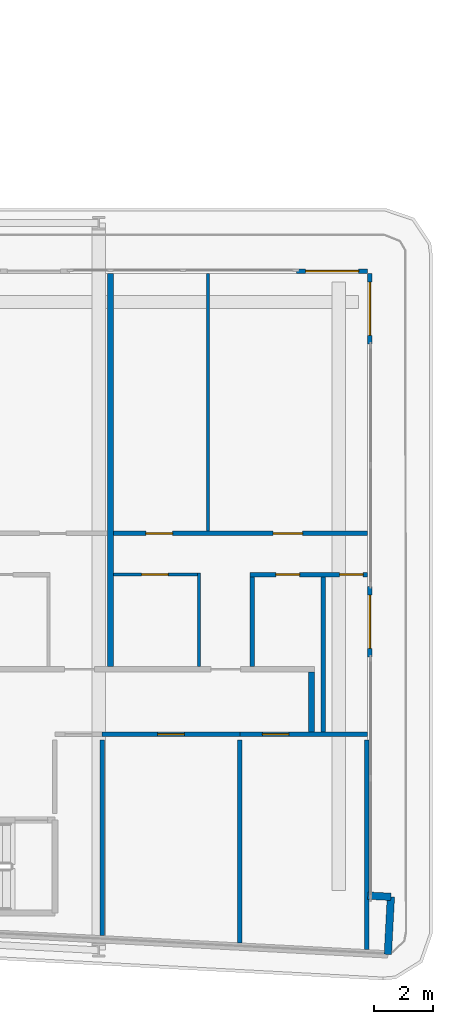
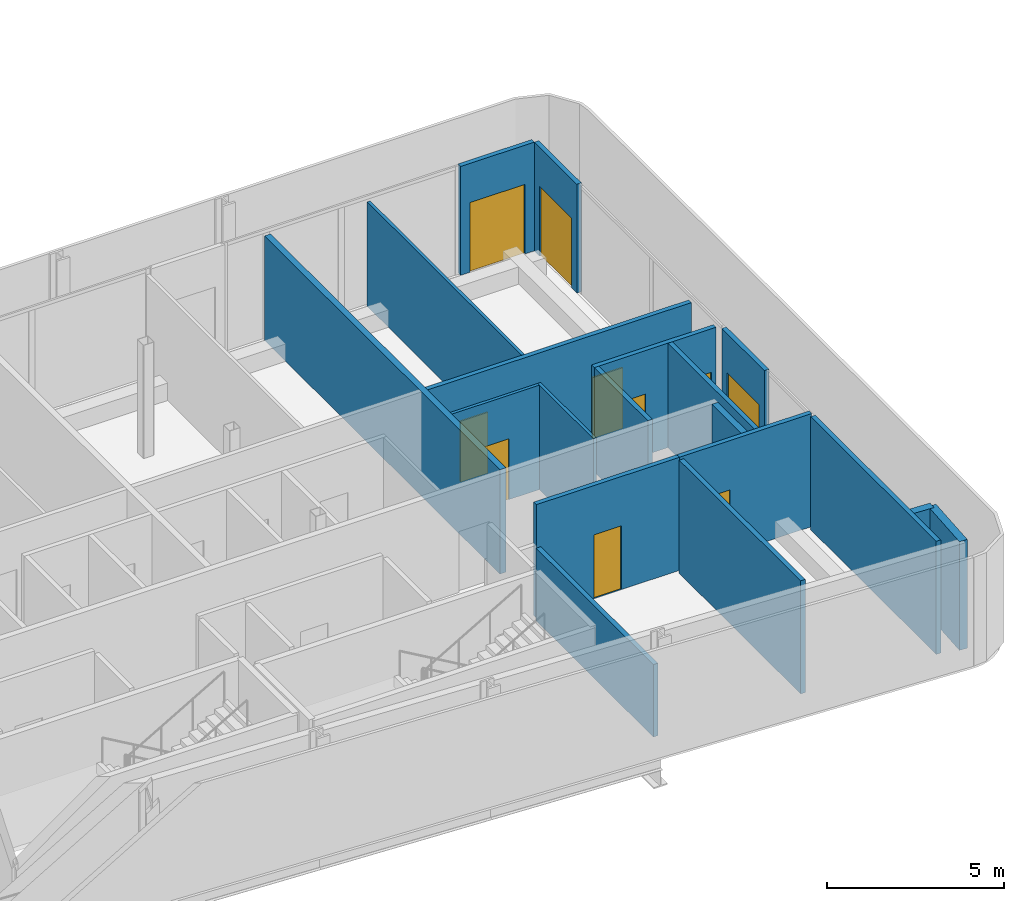
# One storey, part 19 of 28: 19 walls, 10 doors, 10 openings.
"""IFC4 building model written with IfcOpenShell, lengths in metres."""

from ifc_helpers import new_model, si_unit, direction, frame, frame_2d, origin, place, context, subcontext, project, spatial, rectangle, extrude, source, transform, mapped, material, layer, layer_set, type_object, element, fill, save


model = new_model("IFC4")

# Units and contexts
model_context = context("Model", 3, precision=1e-05, world=origin(), true_north=direction((0.0, 1.0)))
body_context = subcontext(model_context, "Body", "Model", "MODEL_VIEW")
ifc_project = project(units=[si_unit("LENGTHUNIT", "METRE"), si_unit("AREAUNIT", "SQUARE_METRE"), si_unit("VOLUMEUNIT", "CUBIC_METRE"), si_unit("PLANEANGLEUNIT", "RADIAN"), si_unit("MASSUNIT", "GRAM", prefix="KILO")], contexts=[model_context])

# Site, building, storey
site_placement = place(None, origin())
site = spatial("IfcSite", under=ifc_project, at=site_placement, CompositionType="ELEMENT")
building_placement = place(site_placement, origin())
building = spatial("IfcBuilding", under=site, at=building_placement, Name="Kheshtan School and Residences Tower", CompositionType="ELEMENT")
storey_placement = place(building_placement, frame((0.0, 0.0, 129.199951171875)))
storey = spatial("IfcBuildingStorey", under=building, at=storey_placement, Name="L30", CompositionType="ELEMENT", Elevation=129.199951171875)

# Walls
ifc_material_1 = material(Name="Gypsum board on steel studs with fire boards", Category="steel")
ifc_layer_1 = layer(ifc_material_1, 0.199951171875)
ifc_layer_set_1 = layer_set([ifc_layer_1], Name="Corridor wall 200")
wall_type_1 = type_object("IfcWallType", Name="Corridor wall 200", PredefinedType="PARTITIONING", material=ifc_layer_set_1)
wall_1_placement = place(storey_placement, frame((98.0, 28.3740234375, 0.0), z_axis=(0.0, 0.0, 1.0), x_axis=(0.0, 1.0, 0.0)))
element("IfcWall", 1, at=wall_1_placement, inside=storey, type_object=wall_type_1, Name="Partition L30-086", PredefinedType="PARTITIONING", context=body_context, shape_type="SweptSolid", body=[
    extrude(rectangle(XDim=2.02587890625, YDim=0.199951171875, at=frame_2d((1.012939453125, 0.0))), origin(), (0.0, 0.0, 1.0), 3.60009765625),
])
ifc_material_2 = material(Name="Concrete C40/50 with ceramic cladding and mineral wool insulation", Category="concrete")
ifc_layer_2 = layer(ifc_material_2, 0.25)
ifc_layer_set_2 = layer_set([ifc_layer_2], Name="External wall 250 ceramic clad")
wall_type_2 = type_object("IfcWallType", Name="External wall 250 ceramic clad", PredefinedType="SOLIDWALL", material=ifc_layer_set_2)
wall_2_placement = place(storey_placement, frame((99.906982421875, 22.839111328125, 0.0), z_axis=(0.0, 0.0, 1.0), x_axis=(0.998561284263, -0.053622398031, 0.0)))
element("IfcWall", 2, at=wall_2_placement, inside=storey, type_object=wall_type_2, Name="External wall L30 14", PredefinedType="SOLIDWALL", context=body_context, shape_type="SweptSolid", body=[
    extrude(rectangle(XDim=0.783203125, YDim=0.25, at=frame_2d((0.3916015625, 0.0))), origin(), (0.0, 0.0, 1.0), 3.75),
])
wall_3_placement = place(storey_placement, frame((100.68896484375, 22.797119140625, 0.0), z_axis=(0.0, 0.0, 1.0), x_axis=(-0.052841433274, -0.998602915542, 0.0)))
element("IfcWall", 3, at=wall_3_placement, inside=storey, type_object=wall_type_2, Name="External wall L30 15", PredefinedType="SOLIDWALL", context=body_context, shape_type="SweptSolid", body=[
    extrude(rectangle(XDim=1.94970703125, YDim=0.25, at=frame_2d((0.974853515625, 0.0))), origin(), (0.0, 0.0, 1.0), 3.75),
])

# Wall, opening, door
ifc_material_3 = material(Name="Aluminium frame wall with insulated infill", Category="aluminium")
ifc_layer_3 = layer(ifc_material_3, 0.14990234375)
ifc_layer_set_3 = layer_set([ifc_layer_3], Name="Glazing frame wall 150")
wall_type_3 = type_object("IfcWallType", Name="Glazing frame wall 150", PredefinedType="SOLIDWALL", material=ifc_layer_set_3)
wall_4_placement = place(storey_placement, frame((97.5, 43.97509765625, 0.0), z_axis=(0.0, 0.0, 1.0), x_axis=(1.0, 0.0, 0.0)))
wall_4 = element("IfcWall", 4, at=wall_4_placement, inside=storey, type_object=wall_type_3, Name="Balcony door wall L30 12.5", PredefinedType="SOLIDWALL", context=body_context, shape_type="SweptSolid", body=[
    extrude(rectangle(XDim=2.39990234375, YDim=0.14990234375, at=frame_2d((1.199951171875, 0.0))), origin(), (0.0, 0.0, 1.0), 3.75),
])
opening_1_placement = place(wall_4_placement, frame((0.300048828125, 0.0, 0.0)))
opening_1 = element("IfcOpeningElement", 5, at=opening_1_placement, cuts=wall_4, Name="Opening BD", PredefinedType="OPENING", context=body_context, shape_type="SweptSolid", body=[
    extrude(rectangle(XDim=1.800048828125, YDim=2.39990234375, at=frame_2d((0.89990234375, 1.199951171875))), frame((0.0, 0.0849609375, 0.0), z_axis=(0.0, -1.0, 0.0), x_axis=(1.0, 0.0, 0.0)), (0.0, 0.0, 1.0), 0.169921875),
])
ifc_material_4 = material(Name="Clear low-e glass in thermally broken aluminium frame", Category="aluminium")
door_type_1 = type_object("IfcDoorType", Name="Balcony sliding door", OperationType="SLIDING_TO_LEFT", PredefinedType="DOOR", material=ifc_material_4)
shared_shape_1 = source(origin(), body_context, "Body", "SweptSolid", [
    extrude(rectangle(XDim=1.800048828125, YDim=2.39990234375, at=frame_2d((0.89990234375, 1.199951171875))), frame((0.0, 0.02490234375, 0.0), z_axis=(0.0, -1.0, 0.0), x_axis=(1.0, 0.0, 0.0)), (0.0, 0.0, 1.0), 0.050048828125),
])
door_1_placement = place(opening_1_placement, origin())
door_1 = element("IfcDoor", 6, at=door_1_placement, inside=storey, type_object=door_type_1, Name="Balcony door L30 12.5", OperationType="SLIDING_TO_LEFT", OverallHeight=2.39990234375, OverallWidth=1.800048828125, PredefinedType="DOOR", context=body_context, shape_type="MappedRepresentation", body=[
    mapped(shared_shape_1, transform((0.0, 0.0, 0.0), x_axis=(1.0, 0.0, 0.0), y_axis=(0.0, 1.0, 0.0), z_axis=(0.0, 0.0, 1.0), scale=1.0)),
])
fill(opening_1, door_1)

wall_5_placement = place(storey_placement, frame((99.97509765625, 43.89990234375, 0.0), z_axis=(0.0, 0.0, 1.0), x_axis=(0.0, -1.0, 0.0)))
wall_5 = element("IfcWall", 7, at=wall_5_placement, inside=storey, type_object=wall_type_3, Name="Balcony door wall L30 13.1", PredefinedType="SOLIDWALL", context=body_context, shape_type="SweptSolid", body=[
    extrude(rectangle(XDim=2.39990234375, YDim=0.14990234375, at=frame_2d((1.199951171875, 0.0))), origin(), (0.0, 0.0, 1.0), 3.75),
])
opening_2_placement = place(wall_5_placement, frame((0.300048828125, 0.0, 0.0)))
opening_2 = element("IfcOpeningElement", 8, at=opening_2_placement, cuts=wall_5, Name="Opening BD", PredefinedType="OPENING", context=body_context, shape_type="SweptSolid", body=[
    extrude(rectangle(XDim=1.800048828125, YDim=2.39990234375, at=frame_2d((0.89990234375, 1.199951171875))), frame((0.0, 0.0849609375, 0.0), z_axis=(0.0, -1.0, 0.0), x_axis=(1.0, 0.0, 0.0)), (0.0, 0.0, 1.0), 0.169921875),
])
door_2_placement = place(opening_2_placement, origin())
door_2 = element("IfcDoor", 9, at=door_2_placement, inside=storey, type_object=door_type_1, Name="Balcony door L30 13.1", OperationType="SLIDING_TO_LEFT", OverallHeight=2.39990234375, OverallWidth=1.800048828125, PredefinedType="DOOR", context=body_context, shape_type="MappedRepresentation", body=[
    mapped(shared_shape_1, transform((0.0, 0.0, 0.0), x_axis=(1.0, 0.0, 0.0), y_axis=(0.0, 1.0, 0.0), z_axis=(0.0, 0.0, 1.0), scale=1.0)),
])
fill(opening_2, door_2)

wall_6_placement = place(storey_placement, frame((99.97509765625, 33.306884765625, 0.0), z_axis=(0.0, 0.0, 1.0), x_axis=(0.0, -1.0, 0.0)))
wall_6 = element("IfcWall", 10, at=wall_6_placement, inside=storey, type_object=wall_type_3, Name="Balcony door wall L30 13.2", PredefinedType="SOLIDWALL", context=body_context, shape_type="SweptSolid", body=[
    extrude(rectangle(XDim=2.39990234375, YDim=0.14990234375, at=frame_2d((1.199951171875, 0.0))), origin(), (0.0, 0.0, 1.0), 3.75),
])
opening_3_placement = place(wall_6_placement, frame((0.300048828125, 0.0, 0.0)))
opening_3 = element("IfcOpeningElement", 11, at=opening_3_placement, cuts=wall_6, Name="Opening BD", PredefinedType="OPENING", context=body_context, shape_type="SweptSolid", body=[
    extrude(rectangle(XDim=1.800048828125, YDim=2.39990234375, at=frame_2d((0.89990234375, 1.199951171875))), frame((0.0, 0.0849609375, 0.0), z_axis=(0.0, -1.0, 0.0), x_axis=(1.0, 0.0, 0.0)), (0.0, 0.0, 1.0), 0.169921875),
])
door_3_placement = place(opening_3_placement, origin())
door_3 = element("IfcDoor", 12, at=door_3_placement, inside=storey, type_object=door_type_1, Name="Balcony door L30 13.2", OperationType="SLIDING_TO_LEFT", OverallHeight=2.39990234375, OverallWidth=1.800048828125, PredefinedType="DOOR", context=body_context, shape_type="MappedRepresentation", body=[
    mapped(shared_shape_1, transform((0.0, 0.0, 0.0), x_axis=(1.0, 0.0, 0.0), y_axis=(0.0, 1.0, 0.0), z_axis=(0.0, 0.0, 1.0), scale=1.0)),
])
fill(opening_3, door_3)

ifc_material_5 = material(Name="Gypsum board on steel studs", Category="steel")
ifc_layer_4 = layer(ifc_material_5, 0.10009765625)
ifc_layer_set_4 = layer_set([ifc_layer_4], Name="Gypsum partition 100")
wall_type_4 = type_object("IfcWallType", Name="Gypsum partition 100", PredefinedType="PARTITIONING", material=ifc_layer_set_4)
wall_7_placement = place(storey_placement, frame((91.300048828125, 33.699951171875, 0.0), z_axis=(0.0, 0.0, 1.0), x_axis=(1.0, 0.0, 0.0)))
wall_7 = element("IfcWall", 13, at=wall_7_placement, inside=storey, type_object=wall_type_4, Name="Partition L30-080", PredefinedType="PARTITIONING", context=body_context, shape_type="SweptSolid", body=[
    extrude(rectangle(XDim=2.849853515625, YDim=0.10009765625, at=frame_2d((1.4248046875, 0.0))), origin(), (0.0, 0.0, 1.0), 3.60009765625),
])
opening_4_placement = place(wall_7_placement, frame((0.949951171875, 0.0, 0.0)))
opening_4 = element("IfcOpeningElement", 14, at=opening_4_placement, cuts=wall_7, Name="Opening D29-030", PredefinedType="OPENING", context=body_context, shape_type="SweptSolid", body=[
    extrude(rectangle(XDim=0.89990234375, YDim=2.10009765625, at=frame_2d((0.449951171875, 1.050048828125))), frame((0.0, 0.06005859375, 0.0), z_axis=(0.0, -1.0, 0.0), x_axis=(1.0, 0.0, 0.0)), (0.0, 0.0, 1.0), 0.1201171875),
])
ifc_material_6 = material(Name="Veneered timber door leaf", Category="wood")
door_type_2 = type_object("IfcDoorType", Name="Door 900 x 2100", OperationType="SINGLE_SWING_LEFT", PredefinedType="DOOR", material=ifc_material_6)
shared_shape_2 = source(origin(), body_context, "Body", "SweptSolid", [
    extrude(rectangle(XDim=0.89990234375, YDim=2.10009765625, at=frame_2d((0.449951171875, 1.050048828125))), frame((0.0, 0.02490234375, 0.0), z_axis=(0.0, -1.0, 0.0), x_axis=(1.0, 0.0, 0.0)), (0.0, 0.0, 1.0), 0.050048828125),
])
door_4_placement = place(opening_4_placement, origin())
door_4 = element("IfcDoor", 15, at=door_4_placement, inside=storey, type_object=door_type_2, Name="Door D29-030", OperationType="SINGLE_SWING_RIGHT", OverallHeight=2.10009765625, OverallWidth=0.89990234375, PredefinedType="DOOR", context=body_context, shape_type="MappedRepresentation", body=[
    mapped(shared_shape_2, transform((0.0, 0.0, 0.0), x_axis=(1.0, 0.0, 0.0), y_axis=(0.0, 1.0, 0.0), z_axis=(0.0, 0.0, 1.0), scale=1.0)),
])
fill(opening_4, door_4)

# Walls
wall_8_placement = place(storey_placement, frame((94.199951171875, 30.60009765625, 0.0), z_axis=(0.0, 0.0, 1.0), x_axis=(0.0, 1.0, 0.0)))
element("IfcWall", 16, at=wall_8_placement, inside=storey, type_object=wall_type_4, Name="Partition L30-082", PredefinedType="PARTITIONING", context=body_context, shape_type="SweptSolid", body=[
    extrude(rectangle(XDim=3.14990234375, YDim=0.10009765625, at=frame_2d((1.574951171875, 0.0))), origin(), (0.0, 0.0, 1.0), 3.60009765625),
])
wall_9_placement = place(storey_placement, frame((94.5, 35.175048828125, 0.0), z_axis=(0.0, 0.0, 1.0), x_axis=(0.0, 1.0, 0.0)))
element("IfcWall", 17, at=wall_9_placement, inside=storey, type_object=wall_type_4, Name="Partition L30-083", PredefinedType="PARTITIONING", context=body_context, shape_type="SweptSolid", body=[
    extrude(rectangle(XDim=8.724853515625, YDim=0.10009765625, at=frame_2d((4.3623046875, 0.0))), origin(), (0.0, 0.0, 1.0), 3.60009765625),
])
ifc_material_7 = material(Name="Fire-board shaft wall system")
ifc_layer_5 = layer(ifc_material_7, 0.14990234375)
ifc_layer_set_5 = layer_set([ifc_layer_5], Name="Service room wall 150")
wall_type_5 = type_object("IfcWallType", Name="Service room wall 150", PredefinedType="PARTITIONING", material=ifc_layer_set_5)
wall_10_placement = place(storey_placement, frame((90.9150390625, 21.487060546875, 0.0), z_axis=(0.0, 0.0, 1.0), x_axis=(0.0, 1.0, 0.0)))
element("IfcWall", 18, at=wall_10_placement, inside=storey, type_object=wall_type_5, Name="Service room wall", PredefinedType="PARTITIONING", context=body_context, shape_type="SweptSolid", body=[
    extrude(rectangle(XDim=6.617919921875, YDim=0.14990234375, at=frame_2d((3.30908203125, 0.0))), origin(), (0.0, 0.0, 1.0), 2.5),
])

# Wall, opening, door
wall_11_placement = place(storey_placement, frame((90.9150390625, 28.300048828125, 0.0), z_axis=(0.0, 0.0, 1.0), x_axis=(1.0, 0.0, 0.0)))
wall_11 = element("IfcWall", 19, at=wall_11_placement, inside=storey, type_object=wall_type_5, Name="Service room wall", PredefinedType="PARTITIONING", context=body_context, shape_type="SweptSolid", body=[
    extrude(rectangle(XDim=4.666015625, YDim=0.14990234375, at=frame_2d((2.3330078125, 0.0))), origin(), (0.0, 0.0, 1.0), 3.900146484375),
])
opening_5_placement = place(wall_11_placement, frame((1.883056640625, 0.0, 0.0)))
opening_5 = element("IfcOpeningElement", 20, at=opening_5_placement, cuts=wall_11, Name="Opening SR90", PredefinedType="OPENING", context=body_context, shape_type="SweptSolid", body=[
    extrude(rectangle(XDim=0.89990234375, YDim=2.199951171875, at=frame_2d((0.449951171875, 1.10009765625))), frame((0.0, 0.0849609375, 0.0), z_axis=(0.0, -1.0, 0.0), x_axis=(1.0, 0.0, 0.0)), (0.0, 0.0, 1.0), 0.169921875),
])
ifc_material_8 = material(Name="Steel door leaf, galvanised", Category="steel")
door_type_3 = type_object("IfcDoorType", Name="Service room door 900 steel 90 min", OperationType="SINGLE_SWING_LEFT", PredefinedType="DOOR", material=ifc_material_8)
shared_shape_3 = source(origin(), body_context, "Body", "SweptSolid", [
    extrude(rectangle(XDim=0.89990234375, YDim=2.199951171875, at=frame_2d((0.449951171875, 1.10009765625))), frame((0.0, 0.02490234375, 0.0), z_axis=(0.0, -1.0, 0.0), x_axis=(1.0, 0.0, 0.0)), (0.0, 0.0, 1.0), 0.050048828125),
])
door_5_placement = place(opening_5_placement, origin())
door_5 = element("IfcDoor", 21, at=door_5_placement, inside=storey, type_object=door_type_3, Name="Service room door", OperationType="SINGLE_SWING_RIGHT", OverallHeight=2.199951171875, OverallWidth=0.89990234375, PredefinedType="DOOR", context=body_context, shape_type="MappedRepresentation", body=[
    mapped(shared_shape_3, transform((0.0, 0.0, 0.0), x_axis=(1.0, 0.0, 0.0), y_axis=(0.0, 1.0, 0.0), z_axis=(0.0, 0.0, 1.0), scale=1.0)),
])
fill(opening_5, door_5)

# Wall
wall_12_placement = place(storey_placement, frame((95.5810546875, 21.240966796875, 0.0), z_axis=(0.0, 0.0, 1.0), x_axis=(0.0, 1.0, 0.0)))
element("IfcWall", 22, at=wall_12_placement, inside=storey, type_object=wall_type_5, Name="Service room wall", PredefinedType="PARTITIONING", context=body_context, shape_type="SweptSolid", body=[
    extrude(rectangle(XDim=6.864013671875, YDim=0.14990234375, at=frame_2d((3.43212890625, 0.0))), origin(), (0.0, 0.0, 1.0), 3.900146484375),
])

# Wall, opening, door
wall_13_placement = place(storey_placement, frame((95.5810546875, 28.300048828125, 0.0), z_axis=(0.0, 0.0, 1.0), x_axis=(1.0, 0.0, 0.0)))
wall_13 = element("IfcWall", 23, at=wall_13_placement, inside=storey, type_object=wall_type_5, Name="Service room wall", PredefinedType="PARTITIONING", context=body_context, shape_type="SweptSolid", body=[
    extrude(rectangle(XDim=4.31689453125, YDim=0.14990234375, at=frame_2d((2.158447265625, 0.0))), origin(), (0.0, 0.0, 1.0), 3.900146484375),
])
opening_6_placement = place(wall_13_placement, frame((0.759033203125, 0.0, 0.0)))
opening_6 = element("IfcOpeningElement", 24, at=opening_6_placement, cuts=wall_13, Name="Opening SR90", PredefinedType="OPENING", context=body_context, shape_type="SweptSolid", body=[
    extrude(rectangle(XDim=0.89990234375, YDim=2.199951171875, at=frame_2d((0.449951171875, 1.10009765625))), frame((0.0, 0.0849609375, 0.0), z_axis=(0.0, -1.0, 0.0), x_axis=(1.0, 0.0, 0.0)), (0.0, 0.0, 1.0), 0.169921875),
])
door_6_placement = place(opening_6_placement, origin())
door_6 = element("IfcDoor", 25, at=door_6_placement, inside=storey, type_object=door_type_3, Name="Service room door", OperationType="SINGLE_SWING_LEFT", OverallHeight=2.199951171875, OverallWidth=0.89990234375, PredefinedType="DOOR", context=body_context, shape_type="MappedRepresentation", body=[
    mapped(shared_shape_3, transform((0.0, 0.0, 0.0), x_axis=(1.0, 0.0, 0.0), y_axis=(0.0, 1.0, 0.0), z_axis=(0.0, 0.0, 1.0), scale=1.0)),
])
fill(opening_6, door_6)

# Walls
wall_14_placement = place(storey_placement, frame((99.8701171875, 21.014892578125, 0.0), z_axis=(0.0, 0.0, 1.0), x_axis=(0.0, 1.0, 0.0)))
element("IfcWall", 26, at=wall_14_placement, inside=storey, type_object=wall_type_5, Name="Service room wall", PredefinedType="PARTITIONING", context=body_context, shape_type="SweptSolid", body=[
    extrude(rectangle(XDim=7.090087890625, YDim=0.14990234375, at=frame_2d((3.544921875, 0.0))), origin(), (0.0, 0.0, 1.0), 3.900146484375),
])
ifc_material_9 = material(Name="Twin gypsum board on steel studs with mineral wool", Category="steel")
ifc_layer_6 = layer(ifc_material_9, 0.199951171875)
ifc_layer_set_6 = layer_set([ifc_layer_6], Name="Unit demising wall 200")
wall_type_6 = type_object("IfcWallType", Name="Unit demising wall 200", PredefinedType="PARTITIONING", material=ifc_layer_set_6)
wall_15_placement = place(storey_placement, frame((91.199951171875, 30.60009765625, 0.0), z_axis=(0.0, 0.0, 1.0), x_axis=(0.0, 1.0, 0.0)))
element("IfcWall", 27, at=wall_15_placement, inside=storey, type_object=wall_type_6, Name="Partition L30-079", PredefinedType="PARTITIONING", context=body_context, shape_type="SweptSolid", body=[
    extrude(rectangle(XDim=13.2998046875, YDim=0.199951171875, at=frame_2d((6.64990234375, 0.0))), origin(), (0.0, 0.0, 1.0), 3.60009765625),
])

# Wall, openings, doors
ifc_material_10 = material(Name="Moisture-resistant gypsum board on steel studs", Category="steel")
ifc_layer_7 = layer(ifc_material_10, 0.14990234375)
ifc_layer_set_7 = layer_set([ifc_layer_7], Name="Wet-room partition 150")
wall_type_7 = type_object("IfcWallType", Name="Wet-room partition 150", PredefinedType="PARTITIONING", material=ifc_layer_set_7)
wall_16_placement = place(storey_placement, frame((91.300048828125, 35.10009765625, 0.0), z_axis=(0.0, 0.0, 1.0), x_axis=(1.0, 0.0, 0.0)))
wall_16 = element("IfcWall", 28, at=wall_16_placement, inside=storey, type_object=wall_type_7, Name="Partition L30-081", PredefinedType="PARTITIONING", context=body_context, shape_type="SweptSolid", body=[
    extrude(rectangle(XDim=8.599853515625, YDim=0.14990234375, at=frame_2d((4.2998046875, 0.0))), origin(), (0.0, 0.0, 1.0), 3.60009765625),
])
opening_7_placement = place(wall_16_placement, frame((1.10009765625, 0.0, 0.0)))
opening_7 = element("IfcOpeningElement", 29, at=opening_7_placement, cuts=wall_16, Name="Opening D29-028", PredefinedType="OPENING", context=body_context, shape_type="SweptSolid", body=[
    extrude(rectangle(XDim=0.89990234375, YDim=2.10009765625, at=frame_2d((0.449951171875, 1.050048828125))), frame((0.0, 0.0849609375, 0.0), z_axis=(0.0, -1.0, 0.0), x_axis=(1.0, 0.0, 0.0)), (0.0, 0.0, 1.0), 0.169921875),
])
opening_8_placement = place(wall_16_placement, frame((5.39990234375, 0.0, 0.0)))
opening_8 = element("IfcOpeningElement", 30, at=opening_8_placement, cuts=wall_16, Name="Opening D29-031", PredefinedType="OPENING", context=body_context, shape_type="SweptSolid", body=[
    extrude(rectangle(XDim=1.0, YDim=2.10009765625, at=frame_2d((0.5, 1.050048828125))), frame((0.0, 0.0849609375, 0.0), z_axis=(0.0, -1.0, 0.0), x_axis=(1.0, 0.0, 0.0)), (0.0, 0.0, 1.0), 0.169921875),
])
door_type_4 = type_object("IfcDoorType", Name="Door 1000 x 2100", OperationType="SINGLE_SWING_LEFT", PredefinedType="DOOR", material=ifc_material_6)
shared_shape_4 = source(origin(), body_context, "Body", "SweptSolid", [
    extrude(rectangle(XDim=1.0, YDim=2.10009765625, at=frame_2d((0.5, 1.050048828125))), frame((0.0, 0.02490234375, 0.0), z_axis=(0.0, -1.0, 0.0), x_axis=(1.0, 0.0, 0.0)), (0.0, 0.0, 1.0), 0.050048828125),
])
door_7_placement = place(opening_8_placement, origin())
door_7 = element("IfcDoor", 31, at=door_7_placement, inside=storey, type_object=door_type_4, Name="Door D29-031", OperationType="SINGLE_SWING_LEFT", OverallHeight=2.10009765625, OverallWidth=1.0, PredefinedType="DOOR", context=body_context, shape_type="MappedRepresentation", body=[
    mapped(shared_shape_4, transform((0.0, 0.0, 0.0), x_axis=(1.0, 0.0, 0.0), y_axis=(0.0, 1.0, 0.0), z_axis=(0.0, 0.0, 1.0), scale=1.0)),
])
fill(opening_8, door_7)
door_8_placement = place(opening_7_placement, origin())
door_8 = element("IfcDoor", 32, at=door_8_placement, inside=storey, type_object=door_type_2, Name="Door D29-028", OperationType="SINGLE_SWING_RIGHT", OverallHeight=2.10009765625, OverallWidth=0.89990234375, PredefinedType="DOOR", context=body_context, shape_type="MappedRepresentation", body=[
    mapped(shared_shape_2, transform((0.0, 0.0, 0.0), x_axis=(1.0, 0.0, 0.0), y_axis=(0.0, 1.0, 0.0), z_axis=(0.0, 0.0, 1.0), scale=1.0)),
])
fill(opening_7, door_8)

wall_17_placement = place(storey_placement, frame((95.925048828125, 33.699951171875, 0.0), z_axis=(0.0, 0.0, 1.0), x_axis=(1.0, 0.0, 0.0)))
wall_17 = element("IfcWall", 33, at=wall_17_placement, inside=storey, type_object=wall_type_7, Name="Partition L30-084", PredefinedType="PARTITIONING", context=body_context, shape_type="SweptSolid", body=[
    extrude(rectangle(XDim=3.974853515625, YDim=0.14990234375, at=frame_2d((1.9873046875, 0.0))), origin(), (0.0, 0.0, 1.0), 3.60009765625),
])
opening_9_placement = place(wall_17_placement, frame((0.875, 0.0, 0.0)))
opening_9 = element("IfcOpeningElement", 34, at=opening_9_placement, cuts=wall_17, Name="Opening D29-027", PredefinedType="OPENING", context=body_context, shape_type="SweptSolid", body=[
    extrude(rectangle(XDim=0.800048828125, YDim=2.10009765625, at=frame_2d((0.39990234375, 1.050048828125))), frame((0.0, 0.0849609375, 0.0), z_axis=(0.0, -1.0, 0.0), x_axis=(1.0, 0.0, 0.0)), (0.0, 0.0, 1.0), 0.169921875),
])
opening_10_placement = place(wall_17_placement, frame((3.02490234375, 0.0, 0.0)))
opening_10 = element("IfcOpeningElement", 35, at=opening_10_placement, cuts=wall_17, Name="Opening D29-032", PredefinedType="OPENING", context=body_context, shape_type="SweptSolid", body=[
    extrude(rectangle(XDim=0.800048828125, YDim=2.10009765625, at=frame_2d((0.39990234375, 1.050048828125))), frame((0.0, 0.0849609375, 0.0), z_axis=(0.0, -1.0, 0.0), x_axis=(1.0, 0.0, 0.0)), (0.0, 0.0, 1.0), 0.169921875),
])
door_type_5 = type_object("IfcDoorType", Name="Door 800 x 2100", OperationType="SINGLE_SWING_LEFT", PredefinedType="DOOR", material=ifc_material_6)
shared_shape_5 = source(origin(), body_context, "Body", "SweptSolid", [
    extrude(rectangle(XDim=0.800048828125, YDim=2.10009765625, at=frame_2d((0.39990234375, 1.050048828125))), frame((0.0, 0.02490234375, 0.0), z_axis=(0.0, -1.0, 0.0), x_axis=(1.0, 0.0, 0.0)), (0.0, 0.0, 1.0), 0.050048828125),
])
door_9_placement = place(opening_9_placement, origin())
door_9 = element("IfcDoor", 36, at=door_9_placement, inside=storey, type_object=door_type_5, Name="Door D29-027", OperationType="SINGLE_SWING_RIGHT", OverallHeight=2.10009765625, OverallWidth=0.800048828125, PredefinedType="DOOR", context=body_context, shape_type="MappedRepresentation", body=[
    mapped(shared_shape_5, transform((0.0, 0.0, 0.0), x_axis=(1.0, 0.0, 0.0), y_axis=(0.0, 1.0, 0.0), z_axis=(0.0, 0.0, 1.0), scale=1.0)),
])
fill(opening_9, door_9)
door_10_placement = place(opening_10_placement, origin())
door_10 = element("IfcDoor", 37, at=door_10_placement, inside=storey, type_object=door_type_5, Name="Door D29-032", OperationType="SINGLE_SWING_RIGHT", OverallHeight=2.10009765625, OverallWidth=0.800048828125, PredefinedType="DOOR", context=body_context, shape_type="MappedRepresentation", body=[
    mapped(shared_shape_5, transform((0.0, 0.0, 0.0), x_axis=(1.0, 0.0, 0.0), y_axis=(0.0, 1.0, 0.0), z_axis=(0.0, 0.0, 1.0), scale=1.0)),
])
fill(opening_10, door_10)

# Walls
wall_18_placement = place(storey_placement, frame((96.0, 30.60009765625, 0.0), z_axis=(0.0, 0.0, 1.0), x_axis=(0.0, 1.0, 0.0)))
element("IfcWall", 38, at=wall_18_placement, inside=storey, type_object=wall_type_7, Name="Partition L30-085", PredefinedType="PARTITIONING", context=body_context, shape_type="SweptSolid", body=[
    extrude(rectangle(XDim=3.02490234375, YDim=0.14990234375, at=frame_2d((1.512451171875, 0.0))), origin(), (0.0, 0.0, 1.0), 3.60009765625),
])
wall_19_placement = place(storey_placement, frame((98.39990234375, 28.3740234375, 0.0), z_axis=(0.0, 0.0, 1.0), x_axis=(0.0, 1.0, 0.0)))
element("IfcWall", 39, at=wall_19_placement, inside=storey, type_object=wall_type_7, Name="Partition L30-087", PredefinedType="PARTITIONING", context=body_context, shape_type="SweptSolid", body=[
    extrude(rectangle(XDim=5.2509765625, YDim=0.14990234375, at=frame_2d((2.62548828125, 0.0))), origin(), (0.0, 0.0, 1.0), 3.60009765625),
])

save(model, "model.ifc")
